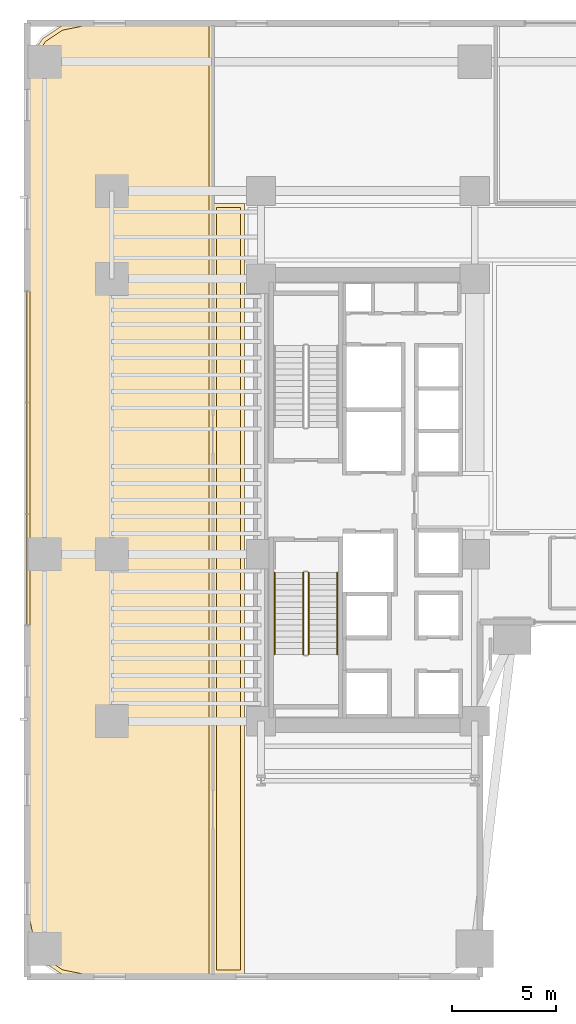
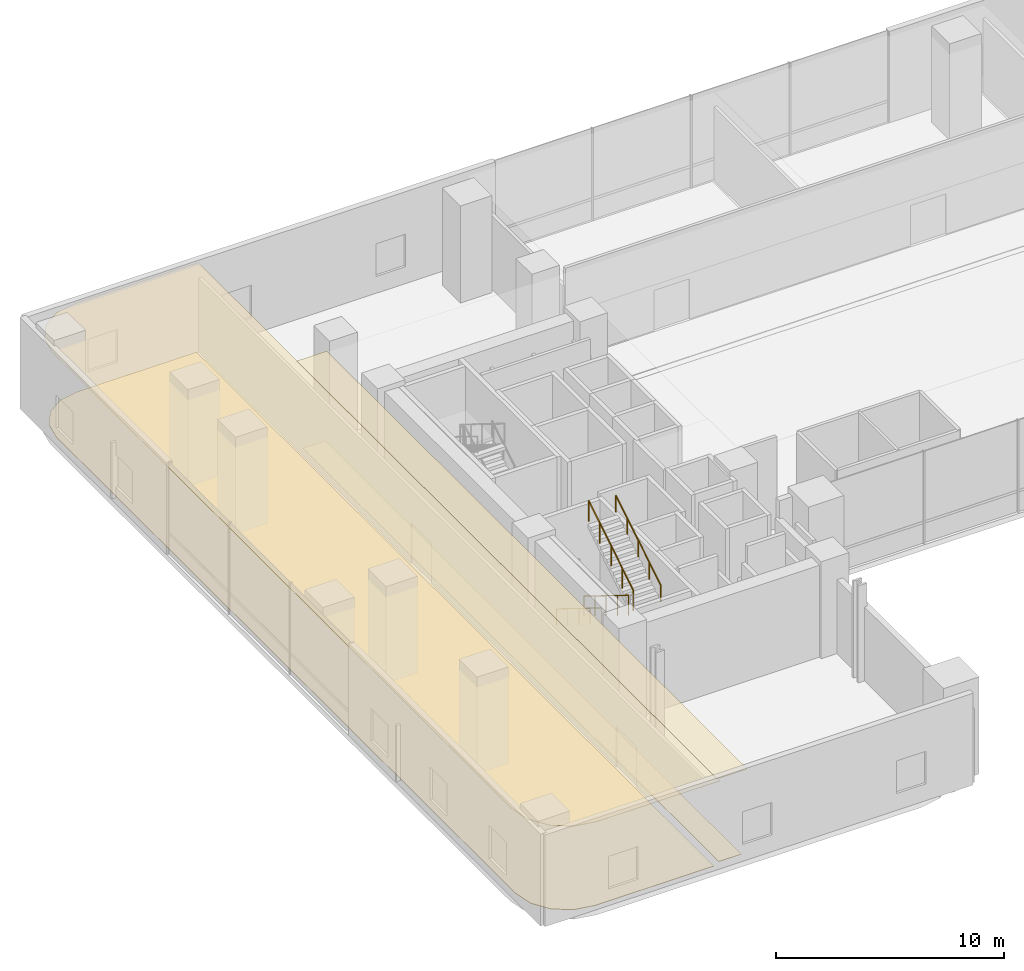
# One storey, part 32 of 39: 4 coverings, 4 railings.
"""IFC4 building model written with IfcOpenShell, lengths in metres."""

from ifc_helpers import new_model, si_unit, direction, frame, origin, origin_2d, place, context, subcontext, project, spatial, polyline, circle, outline, extrude, material, layer, layer_set, type_object, element, save


model = new_model("IFC4")

# Units and contexts
model_context = context("Model", 3, precision=1e-05, world=origin(), true_north=direction((0.0, 1.0)))
body_context = subcontext(model_context, "Body", "Model", "MODEL_VIEW")
ifc_project = project(units=[si_unit("LENGTHUNIT", "METRE"), si_unit("AREAUNIT", "SQUARE_METRE"), si_unit("VOLUMEUNIT", "CUBIC_METRE"), si_unit("PLANEANGLEUNIT", "RADIAN"), si_unit("MASSUNIT", "GRAM", prefix="KILO")], contexts=[model_context])

# Site, building, storey
site_placement = place(None, origin())
site = spatial("IfcSite", under=ifc_project, at=site_placement, CompositionType="ELEMENT")
building_placement = place(site_placement, origin())
building = spatial("IfcBuilding", under=site, at=building_placement, Name="Valdorenza Pilgrim Sanctuary Tower", CompositionType="ELEMENT")
storey_placement = place(building_placement, frame((0.0, 0.0, 5.199951171875)))
storey = spatial("IfcBuildingStorey", under=building, at=storey_placement, Name="L01", CompositionType="ELEMENT", Elevation=5.199951171875)

# Coverings
ifc_material_1 = material(Name="Micro-perforated acoustic mineral ceiling tile", Category="gypsum")
ifc_layer_1 = layer(ifc_material_1, 0.02490234375, Name="Micro-perforated acoustic mineral ceiling tile")
ifc_layer_set_1 = layer_set([ifc_layer_1], Name="Micro-perforated acoustic mineral ceiling tile")
covering_type_1 = type_object("IfcCoveringType", Name="COV-CLG-ACU", PredefinedType="CEILING", material=ifc_layer_set_1)
covering_1_placement = place(storey_placement, frame((0.0, 0.0, 4.6201171875)))
element("IfcCovering", 1, at=covering_1_placement, inside=storey, type_object=covering_type_1, Name="L01 Pilgrim Orientation Concourse Acoustic Ceiling", PredefinedType="CEILING", context=body_context, shape_type="SweptSolid", body=[
    extrude(outline(polyline([(-31.189208984375, -22.905029296875), (-31.190673828125, -22.90478515625), (-31.192138671875, -22.90478515625), (-32.2314453125, -22.697998046875), (-32.23291015625, -22.697509765625), (-32.234375, -22.697021484375), (-32.235595703125, -22.696533203125), (-32.23681640625, -22.69580078125), (-33.10888671875, -22.113037109375), (-33.110107421875, -22.1123046875), (-33.111083984375, -22.111083984375), (-33.1123046875, -22.110107421875), (-33.113037109375, -22.10888671875), (-33.69580078125, -21.23681640625), (-33.696533203125, -21.235595703125), (-33.697021484375, -21.234375), (-33.697509765625, -21.23291015625), (-33.697998046875, -21.2314453125), (-33.90478515625, -20.192138671875), (-33.90478515625, -20.190673828125), (-33.905029296875, -20.189208984375), (-33.905029296875, 20.189208984375), (-33.90478515625, 20.190673828125), (-33.90478515625, 20.192138671875), (-33.697998046875, 21.2314453125), (-33.697509765625, 21.23291015625), (-33.697021484375, 21.234375), (-33.696533203125, 21.235595703125), (-33.69580078125, 21.23681640625), (-33.113037109375, 22.10888671875), (-33.1123046875, 22.110107421875), (-33.111083984375, 22.111083984375), (-33.110107421875, 22.1123046875), (-33.10888671875, 22.113037109375), (-32.23681640625, 22.69580078125), (-32.235595703125, 22.696533203125), (-32.234375, 22.697021484375), (-32.23291015625, 22.697509765625), (-32.2314453125, 22.697998046875), (-31.192138671875, 22.90478515625), (-31.190673828125, 22.90478515625), (-31.189208984375, 22.905029296875), (-24.949951171875, 22.905029296875), (-24.948486328125, 22.90478515625), (-24.947021484375, 22.90478515625), (-24.945556640625, 22.904296875), (-24.9443359375, 22.90380859375), (-24.94287109375, 22.9033203125), (-24.941650390625, 22.902587890625), (-24.9404296875, 22.901611328125), (-24.939453125, 22.900634765625), (-24.9384765625, 22.8994140625), (-24.9375, 22.898193359375), (-24.936767578125, 22.897216796875), (-24.93603515625, 22.895751953125), (-24.935546875, 22.894287109375), (-24.935302734375, 22.892822265625), (-24.93505859375, 22.8916015625), (-24.93505859375, 22.889892578125), (-24.93505859375, -22.889892578125), (-24.93505859375, -22.8916015625), (-24.935302734375, -22.892822265625), (-24.935546875, -22.894287109375), (-24.93603515625, -22.895751953125), (-24.936767578125, -22.897216796875), (-24.9375, -22.898193359375), (-24.9384765625, -22.8994140625), (-24.939453125, -22.900634765625), (-24.9404296875, -22.901611328125), (-24.941650390625, -22.902587890625), (-24.94287109375, -22.9033203125), (-24.9443359375, -22.90380859375), (-24.945556640625, -22.904296875), (-24.947021484375, -22.90478515625), (-24.948486328125, -22.90478515625), (-24.949951171875, -22.905029296875), (-31.189208984375, -22.905029296875)])), origin(), (0.0, 0.0, 1.0), 0.02490234375),
])
covering_2_placement = place(storey_placement, frame((0.0, 0.0, 4.6201171875)))
element("IfcCovering", 2, at=covering_2_placement, inside=storey, type_object=covering_type_1, Name="L01 L01 Podium West Corridor Acoustic Ceiling", PredefinedType="CEILING", context=body_context, shape_type="SweptSolid", body=[
    extrude(outline(polyline([(-23.449951171875, 14.215087890625), (-23.448486328125, 14.21484375), (-23.447021484375, 14.214599609375), (-23.445556640625, 14.21435546875), (-23.4443359375, 14.2138671875), (-23.44287109375, 14.213134765625), (-23.441650390625, 14.21240234375), (-23.4404296875, 14.211669921875), (-23.439453125, 14.210693359375), (-23.4384765625, 14.20947265625), (-23.4375, 14.208251953125), (-23.436767578125, 14.20703125), (-23.43603515625, 14.205810546875), (-23.435546875, 14.204345703125), (-23.435302734375, 14.202880859375), (-23.43505859375, 14.201416015625), (-23.43505859375, 14.199951171875), (-23.43505859375, -22.699951171875), (-23.43505859375, -22.701416015625), (-23.435302734375, -22.702880859375), (-23.435546875, -22.704345703125), (-23.43603515625, -22.705810546875), (-23.436767578125, -22.70703125), (-23.4375, -22.708251953125), (-23.4384765625, -22.70947265625), (-23.439453125, -22.710693359375), (-23.4404296875, -22.711669921875), (-23.441650390625, -22.71240234375), (-23.44287109375, -22.713134765625), (-23.4443359375, -22.7138671875), (-23.445556640625, -22.71435546875), (-23.447021484375, -22.714599609375), (-23.448486328125, -22.71484375), (-23.449951171875, -22.715087890625), (-24.947998046875, -22.715087890625), (-24.949462890625, -22.71484375), (-24.950927734375, -22.714599609375), (-24.952392578125, -22.71435546875), (-24.95361328125, -22.7138671875), (-24.955078125, -22.713134765625), (-24.956298828125, -22.71240234375), (-24.95751953125, -22.711669921875), (-24.95849609375, -22.710693359375), (-24.959716796875, -22.70947265625), (-24.96044921875, -22.708251953125), (-24.961181640625, -22.70703125), (-24.9619140625, -22.705810546875), (-24.96240234375, -22.704345703125), (-24.962646484375, -22.702880859375), (-24.962890625, -22.701416015625), (-24.962890625, -22.699951171875), (-24.962890625, 14.199951171875), (-24.962890625, 14.201416015625), (-24.962646484375, 14.202880859375), (-24.96240234375, 14.204345703125), (-24.9619140625, 14.205810546875), (-24.961181640625, 14.20703125), (-24.96044921875, 14.208251953125), (-24.959716796875, 14.20947265625), (-24.95849609375, 14.210693359375), (-24.95751953125, 14.211669921875), (-24.956298828125, 14.21240234375), (-24.955078125, 14.213134765625), (-24.95361328125, 14.2138671875), (-24.952392578125, 14.21435546875), (-24.950927734375, 14.214599609375), (-24.949462890625, 14.21484375), (-24.947998046875, 14.215087890625), (-23.449951171875, 14.215087890625)])), origin(), (0.0, 0.0, 1.0), 0.02490234375),
])
ifc_material_2 = material(Name="Honed travertine stone flooring", Category="masonry")
ifc_layer_2 = layer(ifc_material_2, 0.030029296875, Name="Honed travertine stone flooring")
ifc_layer_set_2 = layer_set([ifc_layer_2], Name="Honed travertine stone flooring")
covering_type_2 = type_object("IfcCoveringType", Name="COV-FLR-TRV", PredefinedType="FLOORING", material=ifc_layer_set_2)
covering_3_placement = place(storey_placement, origin())
element("IfcCovering", 3, at=covering_3_placement, inside=storey, type_object=covering_type_2, Name="L01 Pilgrim Orientation Concourse Flooring", PredefinedType="FLOORING", context=body_context, shape_type="SweptSolid", body=[
    extrude(outline(polyline([(-31.17138671875, -22.7099609375), (-32.158203125, -22.513671875), (-32.970703125, -21.970703125), (-33.513671875, -21.158203125), (-33.7099609375, -20.17138671875), (-33.7099609375, 20.17138671875), (-33.513671875, 21.158203125), (-32.970703125, 21.970703125), (-32.158203125, 22.513671875), (-31.17138671875, 22.7099609375), (-25.1298828125, 22.7099609375), (-25.1298828125, -22.7099609375), (-31.17138671875, -22.7099609375)])), origin(), (0.0, 0.0, 1.0), 0.025146484375),
])
covering_4_placement = place(storey_placement, origin())
element("IfcCovering", 4, at=covering_4_placement, inside=storey, type_object=covering_type_2, Name="L01 L01 Podium West Corridor Flooring", PredefinedType="FLOORING", context=body_context, shape_type="SweptSolid", body=[
    extrude(outline(polyline([(-23.6298828125, 14.02001953125), (-23.6298828125, -22.52001953125), (-24.76806640625, -22.52001953125), (-24.76806640625, 14.02001953125), (-23.6298828125, 14.02001953125)])), origin(), (0.0, 0.0, 1.0), 0.025146484375),
])

# Railings
ifc_material_3 = material(Name="Stainless steel Grade 316", Category="steel")
railing_type_1 = type_object("IfcRailingType", Name="RLG-GRD-1120", PredefinedType="GUARDRAIL", material=ifc_material_3)
railing_1_placement = place(storey_placement, frame((-20.6201171875, -3.47998046875, 0.17333984375)))
element("IfcRailing", 5, at=railing_1_placement, inside=storey, type_object=railing_type_1, Name="L01 ST-A2 stair guard 1", PredefinedType="GUARDRAIL", context=body_context, shape_type="SweptSolid", body=[
    extrude(circle(Radius=0.02392578125, at=origin_2d()), frame((0.0, 0.0, 1.076171875), z_axis=(0.0, -0.850251603719, 0.526376491091), x_axis=(1.0, 0.0, 0.0)), (0.0, 0.0, 1.0), 4.6103515625),
    extrude(circle(Radius=0.02099609375, at=origin_2d()), origin(), (0.0, 0.0, 1.0), 1.052001953125),
    extrude(circle(Radius=0.02099609375, at=origin_2d()), frame((0.0, -0.97998046875, 0.606689453125)), (0.0, 0.0, 1.0), 1.052001953125),
    extrude(circle(Radius=0.02099609375, at=origin_2d()), frame((0.0, -1.9599609375, 1.21337890625)), (0.0, 0.0, 1.0), 1.052001953125),
    extrude(circle(Radius=0.02099609375, at=origin_2d()), frame((0.0, -2.93994140625, 1.820068359375)), (0.0, 0.0, 1.0), 1.052001953125),
    extrude(circle(Radius=0.02099609375, at=origin_2d()), frame((0.0, -3.919921875, 2.4267578125)), (0.0, 0.0, 1.0), 1.052001953125),
])
railing_2_placement = place(storey_placement, frame((-20.3701171875, -7.39990234375, 2.7734375)))
element("IfcRailing", 6, at=railing_2_placement, inside=storey, type_object=railing_type_1, Name="L01 ST-A2 stair guard 3", PredefinedType="GUARDRAIL", context=body_context, shape_type="SweptSolid", body=[
    extrude(circle(Radius=0.02392578125, at=origin_2d()), frame((0.0, 0.0, 1.076171875), z_axis=(0.0, 0.850275303828, 0.526338206574), x_axis=(-1.0, 0.0, 0.0)), (0.0, 0.0, 1.0), 4.610107421875),
    extrude(circle(Radius=0.02099609375, at=origin_2d()), origin(), (0.0, 0.0, 1.0), 1.052001953125),
    extrude(circle(Radius=0.02099609375, at=origin_2d()), frame((0.0, 0.97998046875, 0.606689453125)), (0.0, 0.0, 1.0), 1.052001953125),
    extrude(circle(Radius=0.02099609375, at=origin_2d()), frame((0.0, 1.9599609375, 1.21337890625)), (0.0, 0.0, 1.0), 1.052001953125),
    extrude(circle(Radius=0.02099609375, at=origin_2d()), frame((0.0, 2.93994140625, 1.81982421875)), (0.0, 0.0, 1.0), 1.052001953125),
    extrude(circle(Radius=0.02099609375, at=origin_2d()), frame((0.0, 3.919921875, 2.426513671875)), (0.0, 0.0, 1.0), 1.052001953125),
])
ifc_material_4 = material(Name="Brushed stainless steel Grade 316", Category="steel")
railing_type_2 = type_object("IfcRailingType", Name="RLG-HND-920", PredefinedType="HANDRAIL", material=ifc_material_4)
railing_3_placement = place(storey_placement, frame((-22.0, -3.47998046875, 0.17333984375)))
element("IfcRailing", 7, at=railing_3_placement, inside=storey, type_object=railing_type_2, Name="L01 ST-A2 stair handrail 1", PredefinedType="HANDRAIL", context=body_context, shape_type="SweptSolid", body=[
    extrude(circle(Radius=0.02392578125, at=origin_2d()), frame((0.0, 0.0, 0.8759765625), z_axis=(0.0, -0.850251603719, 0.526376491091), x_axis=(1.0, 0.0, 0.0)), (0.0, 0.0, 1.0), 4.6103515625),
    extrude(circle(Radius=0.02099609375, at=origin_2d()), origin(), (0.0, 0.0, 1.0), 0.851806640625),
    extrude(circle(Radius=0.02099609375, at=origin_2d()), frame((0.0, -0.97998046875, 0.606689453125)), (0.0, 0.0, 1.0), 0.851806640625),
    extrude(circle(Radius=0.02099609375, at=origin_2d()), frame((0.0, -1.9599609375, 1.21337890625)), (0.0, 0.0, 1.0), 0.851806640625),
    extrude(circle(Radius=0.02099609375, at=origin_2d()), frame((0.0, -2.93994140625, 1.820068359375)), (0.0, 0.0, 1.0), 0.851806640625),
    extrude(circle(Radius=0.02099609375, at=origin_2d()), frame((0.0, -3.919921875, 2.4267578125)), (0.0, 0.0, 1.0), 0.851806640625),
])
railing_4_placement = place(storey_placement, frame((-18.989990234375, -7.39990234375, 2.7734375)))
element("IfcRailing", 8, at=railing_4_placement, inside=storey, type_object=railing_type_2, Name="L01 ST-A2 stair handrail 2", PredefinedType="HANDRAIL", context=body_context, shape_type="SweptSolid", body=[
    extrude(circle(Radius=0.02392578125, at=origin_2d()), frame((0.0, 0.0, 0.8759765625), z_axis=(0.0, 0.850275303828, 0.526338206574), x_axis=(-1.0, 0.0, 0.0)), (0.0, 0.0, 1.0), 4.610107421875),
    extrude(circle(Radius=0.02099609375, at=origin_2d()), origin(), (0.0, 0.0, 1.0), 0.851806640625),
    extrude(circle(Radius=0.02099609375, at=origin_2d()), frame((0.0, 0.97998046875, 0.606689453125)), (0.0, 0.0, 1.0), 0.851806640625),
    extrude(circle(Radius=0.02099609375, at=origin_2d()), frame((0.0, 1.9599609375, 1.21337890625)), (0.0, 0.0, 1.0), 0.851806640625),
    extrude(circle(Radius=0.02099609375, at=origin_2d()), frame((0.0, 2.93994140625, 1.81982421875)), (0.0, 0.0, 1.0), 0.851806640625),
    extrude(circle(Radius=0.02099609375, at=origin_2d()), frame((0.0, 3.919921875, 2.426513671875)), (0.0, 0.0, 1.0), 0.851806640625),
])

save(model, "model.ifc")
